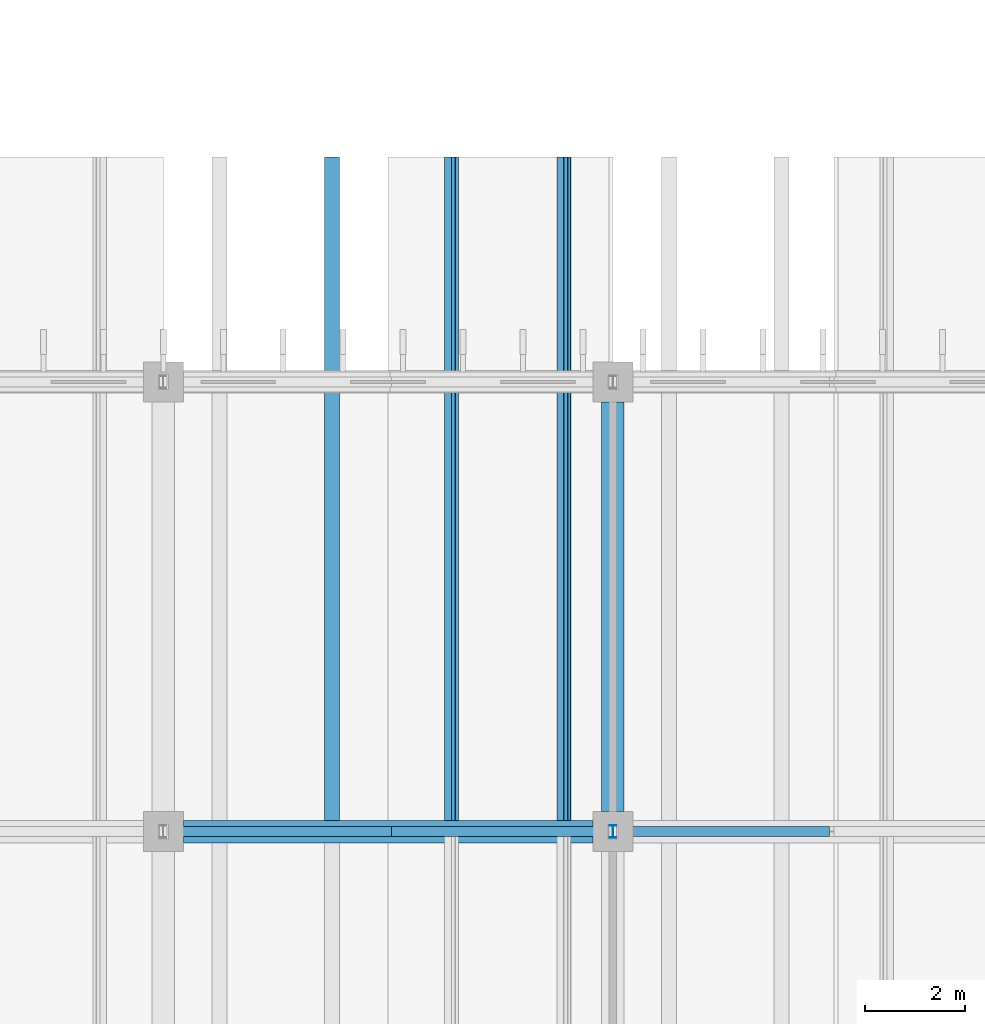
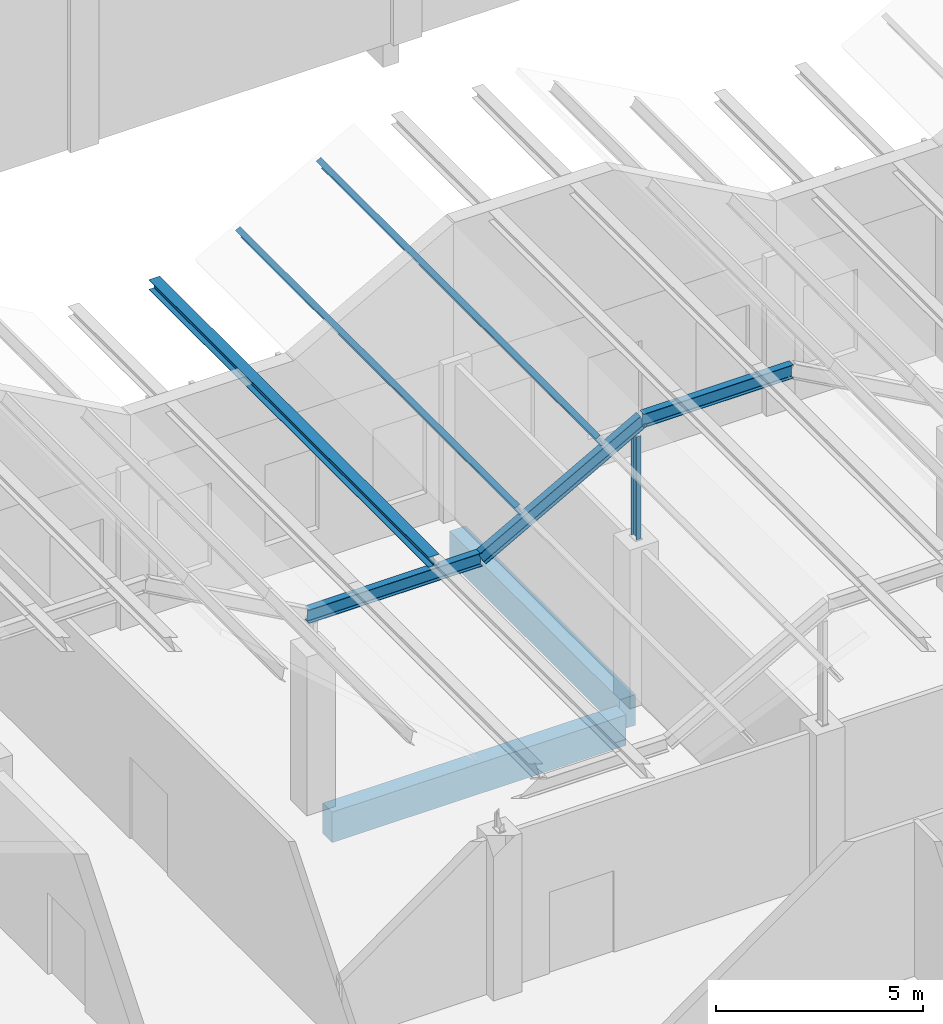
# One storey, part 65 of 437: 7 members, 2 beams.
"""IFC4 building model written with IfcOpenShell, lengths in metres."""

from ifc_helpers import new_model, si_unit, direction, frame, origin, origin_2d, place, context, subcontext, project, spatial, rectangle, i_section, extrude, material, material_profile, profile_set, type_object, element, save


model = new_model("IFC4")

# Units and contexts
model_context = context("Model", 3, precision=1e-05, world=origin(), true_north=direction((0.0, 1.0)))
body_context = subcontext(model_context, "Body", "Model", "MODEL_VIEW")
ifc_project = project(units=[si_unit("LENGTHUNIT", "METRE"), si_unit("AREAUNIT", "SQUARE_METRE"), si_unit("VOLUMEUNIT", "CUBIC_METRE"), si_unit("PLANEANGLEUNIT", "RADIAN"), si_unit("MASSUNIT", "GRAM", prefix="KILO")], contexts=[model_context])

# Site, building, storey
site_placement = place(None, origin())
site = spatial("IfcSite", under=ifc_project, at=site_placement, CompositionType="ELEMENT")
building_placement = place(site_placement, origin())
building = spatial("IfcBuilding", under=site, at=building_placement, Name="Opaline Strait Convention Centre", CompositionType="ELEMENT")
storey_placement = place(building_placement, frame((0.0, 0.0, 11.5)))
storey = spatial("IfcBuildingStorey", under=building, at=storey_placement, Name="L02", CompositionType="ELEMENT", Elevation=11.5)

# Member
ifc_material_1 = material(Name="Steel Q355B", Category="steel")
ifc_material_profile_1 = material_profile(ifc_material_1, i_section(OverallWidth=0.300048828125, OverallDepth=0.300048828125, WebThickness=0.010009765625, FlangeThickness=0.014892578125, FilletRadius=0.012939453125, at=origin_2d()), Name="HW 300x300x10x15")
ifc_profile_set_1 = profile_set([ifc_material_profile_1], Name="Steel Q355B")
member_type_1 = type_object("IfcMemberType", Name="Crest purlin HW 300x300x10x15", PredefinedType="PURLIN", material=ifc_profile_set_1)
member_1_placement = place(storey_placement, frame((39.375, 90.0, 5.949951171875), z_axis=(0.0, 1.0, 0.0), x_axis=(-1.0, 0.0, 0.0)))
element("IfcMember", 1, at=member_1_placement, inside=storey, type_object=member_type_1, Name="RU1 purlin facet 7 line 2", PredefinedType="PURLIN", context=body_context, shape_type="SweptSolid", body=[
    extrude(i_section(OverallWidth=0.300048828125, OverallDepth=0.300048828125, WebThickness=0.010009765625, FlangeThickness=0.014892578125, FilletRadius=0.012939453125, at=origin_2d()), origin(), (0.0, 0.0, 1.0), 13.5),
])

# Beams
ifc_material_2 = material(Name="Concrete C35", Category="concrete")
ifc_material_profile_2 = material_profile(ifc_material_2, rectangle(XDim=0.449951171875, YDim=0.89990234375, at=origin_2d()), Name="RC 450x900")
ifc_profile_set_2 = profile_set([ifc_material_profile_2], Name="Concrete C35")
beam_type = type_object("IfcBeamType", Name="RC beam 450x900 C35", PredefinedType="BEAM", material=ifc_profile_set_2)
for number, where, z_axis, x_axis, name in (
    (2, (36.39990234375, 90.0, -0.72998046875), (1.0, 0.0, 0.0), (0.0, 1.0, 0.0), "XB1 L02 36/90-45/90"),
    (3, (45.0, 90.39990234375, -0.72998046875), (0.0, 1.0, 0.0), (-1.0, 0.0, 0.0), "XB1 L02 45/90-45/99"),
):
    element("IfcBeam", number, at=place(storey_placement, frame(where, z_axis=z_axis, x_axis=x_axis)), inside=storey, type_object=beam_type, Name=name, PredefinedType="BEAM", context=body_context, shape_type="SweptSolid", body=[
        extrude(rectangle(XDim=0.449951171875, YDim=0.89990234375, at=origin_2d()), origin(), (0.0, 0.0, 1.0), 8.2001953125),
    ])

# Members
ifc_material_profile_3 = material_profile(ifc_material_1, i_section(OverallWidth=0.125, OverallDepth=0.25, WebThickness=0.006103515625, FlangeThickness=0.009033203125, FilletRadius=0.008056640625, at=origin_2d()), Name="HN 250x125x6x9")
ifc_profile_set_3 = profile_set([ifc_material_profile_3], Name="Steel Q355B")
member_type_2 = type_object("IfcMemberType", Name="Roof post HN 250x125x6x9", PredefinedType="STRUT", material=ifc_profile_set_3)
member_2_placement = place(storey_placement, frame((45.0, 90.0, 4.68994140625), z_axis=(0.0, 0.0, 1.0), x_axis=(1.0, 0.0, 0.0)))
element("IfcMember", 4, at=member_2_placement, inside=storey, type_object=member_type_2, Name="RP1 roof post at 45/90", PredefinedType="STRUT", context=body_context, shape_type="SweptSolid", body=[
    extrude(i_section(OverallWidth=0.125, OverallDepth=0.25, WebThickness=0.006103515625, FlangeThickness=0.009033203125, FilletRadius=0.008056640625, at=origin_2d()), origin(), (0.0, 0.0, 1.0), 3.031005859375),
])
ifc_material_profile_4 = material_profile(ifc_material_1, i_section(OverallWidth=0.14990234375, OverallDepth=0.300048828125, WebThickness=0.006591796875, FlangeThickness=0.009033203125, FilletRadius=0.012939453125, at=origin_2d()), Name="HN 300x150x6.5x9")
ifc_profile_set_4 = profile_set([ifc_material_profile_4], Name="Steel Q355B")
member_type_3 = type_object("IfcMemberType", Name="Roof purlin HN 300x150x6.5x9", PredefinedType="PURLIN", material=ifc_profile_set_4)
for number, where, z_axis, x_axis, name in (
    (5, (41.770751953125, 90.0, 6.61279296875), (0.0, 1.0, 0.0), (-0.874157310866, 0.0, -0.485642868639), "RU1 purlin facet 8 line 1"),
    (6, (44.020751953125, 90.0, 7.86279296875), (0.0, 1.0, 0.0), (-0.874157310866, 0.0, -0.485642868639), "RU1 purlin facet 8 line 2"),
):
    element("IfcMember", number, at=place(storey_placement, frame(where, z_axis=z_axis, x_axis=x_axis)), inside=storey, type_object=member_type_3, Name=name, PredefinedType="PURLIN", context=body_context, shape_type="SweptSolid", body=[
        extrude(i_section(OverallWidth=0.14990234375, OverallDepth=0.300048828125, WebThickness=0.006591796875, FlangeThickness=0.009033203125, FilletRadius=0.012939453125, at=origin_2d()), origin(), (0.0, 0.0, 1.0), 13.5),
    ])
ifc_material_profile_5 = material_profile(ifc_material_1, i_section(OverallWidth=0.199951171875, OverallDepth=0.39990234375, WebThickness=0.008056640625, FlangeThickness=0.012939453125, FilletRadius=0.012939453125, at=origin_2d()), Name="HN 400x200x8x13")
ifc_profile_set_5 = profile_set([ifc_material_profile_5], Name="Steel Q355B")
member_type_4 = type_object("IfcMemberType", Name="Roof rafter HN 400x200x8x13", PredefinedType="RAFTER", material=ifc_profile_set_5)
member_3_placement = place(storey_placement, frame((35.83154296875, 90.0, 5.60009765625), z_axis=(1.0, 0.0, 0.0), x_axis=(0.0, 1.0, 0.0)))
element("IfcMember", 7, at=member_3_placement, inside=storey, type_object=member_type_4, Name="RR1 rafter line 10 facet 8", PredefinedType="RAFTER", context=body_context, shape_type="SweptSolid", body=[
    extrude(i_section(OverallWidth=0.199951171875, OverallDepth=0.39990234375, WebThickness=0.008056640625, FlangeThickness=0.012939453125, FilletRadius=0.012939453125, at=origin_2d()), origin(), (0.0, 0.0, 1.0), 4.8369140625),
])
member_4_placement = place(storey_placement, frame((40.66845703125, 90.0, 5.60009765625), z_axis=(0.874157276122, 0.0, 0.485642931179), x_axis=(0.0, 1.0, 0.0)))
element("IfcMember", 8, at=member_4_placement, inside=storey, type_object=member_type_4, Name="RR1 rafter line 10 facet 9", PredefinedType="RAFTER", context=body_context, shape_type="SweptSolid", body=[
    extrude(i_section(OverallWidth=0.199951171875, OverallDepth=0.39990234375, WebThickness=0.008056640625, FlangeThickness=0.012939453125, FilletRadius=0.012939453125, at=origin_2d()), origin(), (0.0, 0.0, 1.0), 5.147705078125),
])
member_5_placement = place(storey_placement, frame((45.16845703125, 90.0, 8.10009765625), z_axis=(1.0, 0.0, 0.0), x_axis=(0.0, 1.0, 0.0)))
element("IfcMember", 9, at=member_5_placement, inside=storey, type_object=member_type_4, Name="RR1 rafter line 10 facet 10", PredefinedType="RAFTER", context=body_context, shape_type="SweptSolid", body=[
    extrude(i_section(OverallWidth=0.199951171875, OverallDepth=0.39990234375, WebThickness=0.008056640625, FlangeThickness=0.012939453125, FilletRadius=0.012939453125, at=origin_2d()), origin(), (0.0, 0.0, 1.0), 4.1630859375),
])

save(model, "model.ifc")
